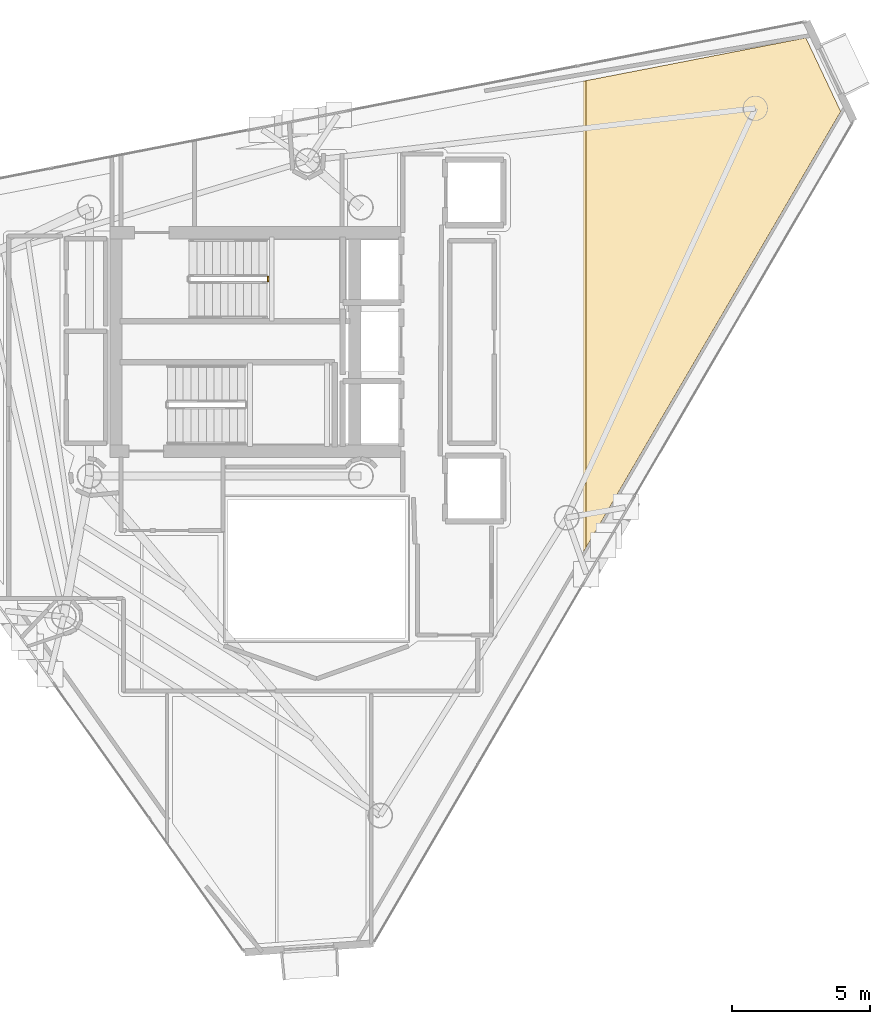
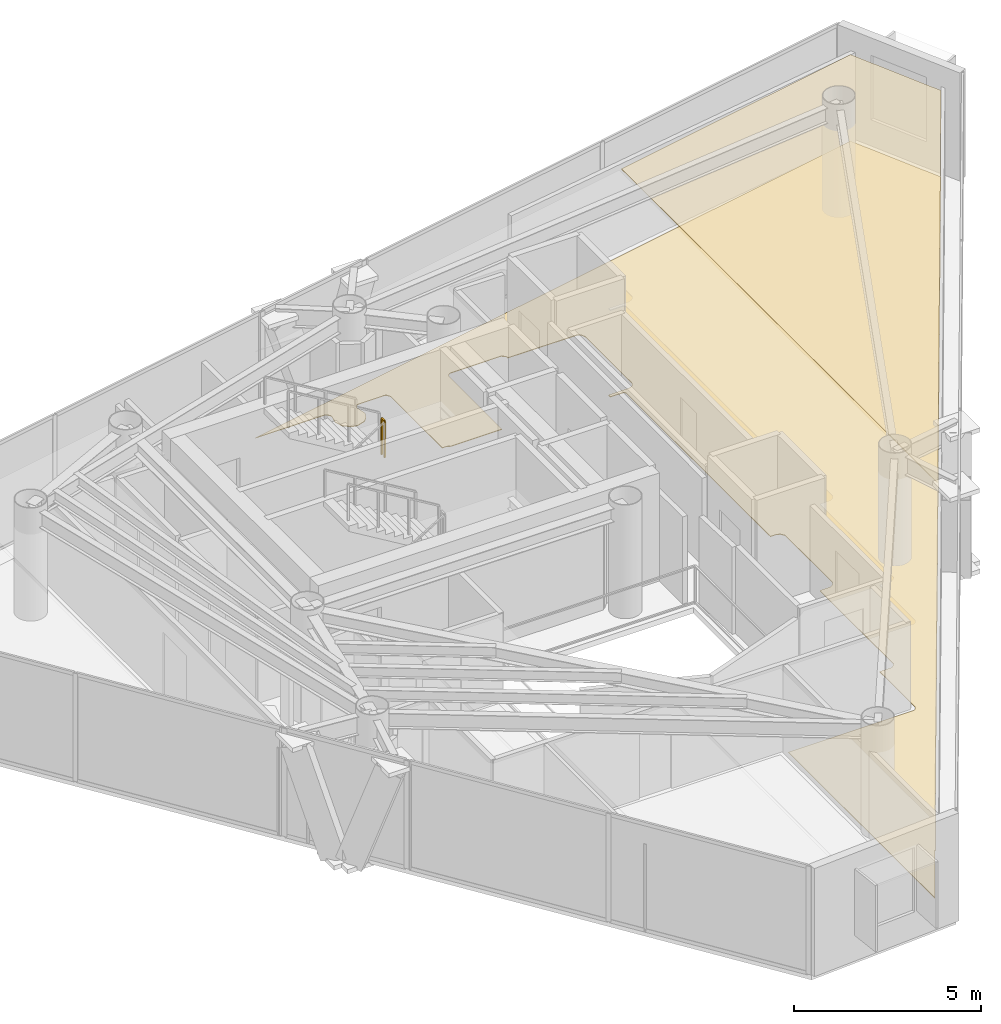
# One storey, part 22 of 22: 2 coverings, 1 railing.
"""IFC4 building model written with IfcOpenShell, lengths in metres."""

import ifcopenshell
import ifcopenshell.guid

model = None  # the IFC model being written
_history = None  # IfcOwnerHistory: only IFC2X3 demands one
_inside = {}  # id of a spatial element -> (the spatial element, [elements in it])
_under = {}  # id of a project, library or spatial element -> (it, [spatial elements below it])
_declared = {}  # id of a project -> (the project, [libraries it declares])
_typed = {}  # id of a type object -> (the type object, [elements of that type])
_made_of = {}  # id of a material, layer set ... -> (it, [elements and type objects made of it])


def new_model(schema):
    """Start an empty IFC model of exactly this schema.

    Asked for "IFC4X3", IfcOpenShell would pick the latest addendum, in which some entities
    have other attributes; the version numbers below select the first issue.
    IFC2X3 requires an IfcOwnerHistory on every rooted entity: one is made here for all.
    """
    global model, _history
    if schema == "IFC4X3":
        model = ifcopenshell.file(schema_version=(4, 3, 0, 0))
    else:
        model = ifcopenshell.file(schema=schema)
    _inside.clear()
    _under.clear()
    _declared.clear()
    _typed.clear()
    _made_of.clear()
    _history = None
    if model.schema == "IFC2X3":
        org = make("IfcOrganization", Name="unknown")
        user = make(
            "IfcPersonAndOrganization",
            ThePerson=make("IfcPerson", FamilyName="unknown"),
            TheOrganization=org,
        )
        app = make(
            "IfcApplication",
            ApplicationDeveloper=org,
            Version="unknown",
            ApplicationFullName="unknown",
            ApplicationIdentifier="unknown",
        )
        _history = make(
            "IfcOwnerHistory",
            OwningUser=user,
            OwningApplication=app,
            ChangeAction="ADDED",
            CreationDate=0,
        )
    return model


def make(cls, **values):
    """One entity of the class cls with the attributes given. An attribute that is None is left unset."""
    return model.create_entity(
        cls, **{name: value for name, value in values.items() if value is not None}
    )


def rooted(cls, **values):
    """An entity with a GlobalId (a new one), such as an element, a storey or a relation."""
    return make(cls, GlobalId=ifcopenshell.guid.new(), OwnerHistory=_history, **values)


def si_unit(unit_type, name, prefix=None):
    """IfcSIUnit, for example si_unit("LENGTHUNIT", "METRE", prefix="MILLI")."""
    return make("IfcSIUnit", UnitType=unit_type, Prefix=prefix, Name=name)


def assignment(units):
    """IfcUnitAssignment: the units of a project."""
    return None if units is None else make("IfcUnitAssignment", Units=units)


def point(xyz):
    """IfcCartesianPoint."""
    return None if xyz is None else make("IfcCartesianPoint", Coordinates=xyz)


def direction(xyz):
    """IfcDirection."""
    return None if xyz is None else make("IfcDirection", DirectionRatios=xyz)


def frame(location, z_axis=None, x_axis=None):
    """IfcAxis2Placement3D, a coordinate frame: its origin and axes. An axis left out is left unset."""
    return make(
        "IfcAxis2Placement3D",
        Location=point(location),
        Axis=direction(z_axis),
        RefDirection=direction(x_axis),
    )


def frame_2d(location, x_axis=None):
    """IfcAxis2Placement2D, a coordinate frame in the plane: its origin and x axis."""
    return make(
        "IfcAxis2Placement2D", Location=point(location), RefDirection=direction(x_axis)
    )


def origin():
    """The frame at (0, 0, 0) with its axes left unset."""
    return frame((0.0, 0.0, 0.0))


def origin_2d():
    """The frame at (0, 0) in the plane with its x axis left unset."""
    return frame_2d((0.0, 0.0))


def place(relative_to, where):
    """IfcLocalPlacement: puts the frame where relative to a parent placement (None: the world)."""
    return make(
        "IfcLocalPlacement", PlacementRelTo=relative_to, RelativePlacement=where
    )


def context(
    kind, dimensions, precision=None, world=None, true_north=None, identifier=None
):
    """IfcGeometricRepresentationContext, for example the 3D "Model" context."""
    return make(
        "IfcGeometricRepresentationContext",
        ContextIdentifier=identifier,
        ContextType=kind,
        CoordinateSpaceDimension=dimensions,
        Precision=precision,
        WorldCoordinateSystem=world,
        TrueNorth=true_north,
    )


def subcontext(parent, identifier, kind, view, scale=None):
    """IfcGeometricRepresentationSubContext, for example "Body" below "Model"."""
    return make(
        "IfcGeometricRepresentationSubContext",
        ContextIdentifier=identifier,
        ContextType=kind,
        ParentContext=parent,
        TargetScale=scale,
        TargetView=view,
    )


def project(units=None, contexts=None):
    """IfcProject with its units and contexts."""
    return rooted(
        "IfcProject",
        Name="project",
        RepresentationContexts=contexts,
        UnitsInContext=assignment(units),
    )


def spatial(cls, under=None, at=None, **own):
    """A site, building, storey or space (cls), placed at a placement, below another one or the project."""
    s = rooted(cls, ObjectPlacement=at, **own)
    if under is not None:
        _under.setdefault(under.id(), (under, []))[1].append(s)
    return s


def polyline(points):
    """IfcPolyline through the points."""
    return make("IfcPolyline", Points=[point(p) for p in points])


def profile(cls, at=None, kind="AREA", **sizes):
    """A parametric profile (cls). Its sizes go by their IFC names, for example OverallWidth=200.0."""
    return make(cls, ProfileType=kind, Position=at, **sizes)


def rectangle(**sizes):
    """IfcRectangleProfileDef."""
    return profile("IfcRectangleProfileDef", **sizes)


def outline(outer, holes=None, kind="AREA"):
    """IfcArbitraryClosedProfileDef: a profile drawn as a closed curve; with holes, ...WithVoids."""
    if holes is None:
        return make("IfcArbitraryClosedProfileDef", ProfileType=kind, OuterCurve=outer)
    return make(
        "IfcArbitraryProfileDefWithVoids",
        ProfileType=kind,
        OuterCurve=outer,
        InnerCurves=holes,
    )


def extrude(swept, where, along, depth):
    """IfcExtrudedAreaSolid: the profile swept, set in the frame where, extruded along a direction by depth."""
    return make(
        "IfcExtrudedAreaSolid",
        SweptArea=swept,
        Position=where,
        ExtrudedDirection=direction(along),
        Depth=depth,
    )


def shape(context_of_items, identifier, shape_type, items):
    """IfcShapeRepresentation: the items that make up one representation, for example the "Body"."""
    return make(
        "IfcShapeRepresentation",
        ContextOfItems=context_of_items,
        RepresentationIdentifier=identifier,
        RepresentationType=shape_type,
        Items=items,
    )


def material(Name=None, Category=None):
    """IfcMaterial."""
    return make("IfcMaterial", Name=Name, Category=Category)


def layer(
    of_material, thickness, ventilated=None, Name=None, Category=None, Priority=None
):
    """IfcMaterialLayer: one layer of a wall or slab, of a material (None: an air gap)."""
    return make(
        "IfcMaterialLayer",
        Material=of_material,
        LayerThickness=thickness,
        IsVentilated=ventilated,
        Name=Name,
        Category=Category,
        Priority=Priority,
    )


def layer_set(layers, Name=None):
    """IfcMaterialLayerSet."""
    return make("IfcMaterialLayerSet", MaterialLayers=layers, LayerSetName=Name)


def made_of(thing, what):
    """Note that an element or type object is made of a material, layer set ...; save() writes the relation."""
    if what is not None:
        _made_of.setdefault(what.id(), (what, []))[1].append(thing)
    return thing


def type_object(cls, material=None, **own):
    """A type object (cls), such as IfcWallType, which elements share."""
    return made_of(rooted(cls, **own), material)


def element(
    cls,
    number,
    at=None,
    inside=None,
    cuts=None,
    type_object=None,
    material=None,
    context=None,
    identifier="Body",
    shape_type=None,
    held_by="IfcProductDefinitionShape",
    body=None,
    shapes=None,
    **own,
):
    """One element of the class cls, such as IfcWall. Its Tag is "e" and its number.

    at: its placement. inside: the storey or other place that contains it. cuts: it is an
    opening in that element (IfcRelVoidsElement). A single representation is given by context,
    identifier, shape_type and body (its items); several are given by shapes. held_by: the class
    of the entity that holds the representations. save() writes the other relations.
    """
    e = rooted(cls, Tag="e%d" % number, ObjectPlacement=at, **own)
    if body is not None:
        shapes = [shape(context, identifier, shape_type, body)]
    if shapes is not None:
        e.Representation = make(held_by, Representations=shapes)
    if inside is not None:
        _inside.setdefault(inside.id(), (inside, []))[1].append(e)
    if cuts is not None:
        rooted(
            "IfcRelVoidsElement", RelatingBuildingElement=cuts, RelatedOpeningElement=e
        )
    if type_object is not None:
        _typed.setdefault(type_object.id(), (type_object, []))[1].append(e)
    return made_of(e, material)


def aggregate(whole, parts):
    """IfcRelAggregates: a whole, such as a stair, and the parts it consists of."""
    return rooted("IfcRelAggregates", RelatingObject=whole, RelatedObjects=parts)


def save(model, path):
    """Write the relations noted so far, then the file.

    IfcRelAggregates (storeys below a building ...), IfcRelContainedInSpatialStructure (elements
    in a storey), IfcRelDefinesByType, IfcRelAssociatesMaterial and IfcRelDeclares: one each for
    every whole, place, type object, material and project.
    """
    for whole, parts in _under.values():
        aggregate(whole, parts)
    for where, things in _inside.values():
        rooted(
            "IfcRelContainedInSpatialStructure",
            RelatedElements=things,
            RelatingStructure=where,
        )
    for kind, things in _typed.values():
        rooted("IfcRelDefinesByType", RelatedObjects=things, RelatingType=kind)
    for what, things in _made_of.values():
        rooted("IfcRelAssociatesMaterial", RelatedObjects=things, RelatingMaterial=what)
    for by, libraries in _declared.values():
        rooted("IfcRelDeclares", RelatingContext=by, RelatedDefinitions=libraries)
    model.write(path)


model = new_model("IFC4")

# Units and contexts
model_context = context("Model", 3, precision=1e-05, world=origin(), true_north=direction((0.0, 1.0)))
body_context = subcontext(model_context, "Body", "Model", "MODEL_VIEW")
ifc_project = project(units=[si_unit("LENGTHUNIT", "METRE"), si_unit("AREAUNIT", "SQUARE_METRE"), si_unit("VOLUMEUNIT", "CUBIC_METRE"), si_unit("PLANEANGLEUNIT", "RADIAN"), si_unit("MASSUNIT", "GRAM", prefix="KILO")], contexts=[model_context])

# Site, building, storey
site_placement = place(None, origin())
site = spatial("IfcSite", under=ifc_project, at=site_placement, CompositionType="ELEMENT")
building_placement = place(site_placement, origin())
building = spatial("IfcBuilding", under=site, at=building_placement, Name="Qianvela Tower", CompositionType="ELEMENT")
storey_placement = place(building_placement, frame((0.0, 0.0, 299.10009765625)))
storey = spatial("IfcBuildingStorey", under=building, at=storey_placement, Name="L77", CompositionType="ELEMENT", Elevation=299.10009765625)

# Coverings
ifc_material_1 = material(Name="Perforated Mineral Acoustic Ceiling Tile")
ifc_layer_1 = layer(ifc_material_1, 0.02490234375)
ifc_layer_set_1 = layer_set([ifc_layer_1], Name="Perforated Mineral Acoustic Ceiling Tile")
covering_type_1 = type_object("IfcCoveringType", Name="COV-CEIL-ACOUSTIC-25", PredefinedType="CEILING", material=ifc_layer_set_1)
covering_1_placement = place(storey_placement, frame((0.0, 0.0, 2.81494140625)))
element("IfcCovering", 1, at=covering_1_placement, inside=storey, type_object=covering_type_1, Name="L77 Acoustic Ceiling Bay 2 Project Huddle Conference L77-02", PredefinedType="CEILING", context=body_context, shape_type="SweptSolid", body=[
    extrude(outline(polyline([(54.471923828125, 39.677490234375), (55.73095703125, 37.018798828125), (46.524169921875, 21.2548828125), (46.524169921875, 38.131591796875), (54.471923828125, 39.677490234375)])), origin(), (0.0, 0.0, 1.0), 0.02490234375),
])
ifc_material_2 = material(Name="Engineered Acoustic Oak Timber Flooring", Category="wood")
ifc_layer_2 = layer(ifc_material_2, 0.02001953125)
ifc_layer_set_2 = layer_set([ifc_layer_2], Name="Engineered Acoustic Oak Timber Flooring")
covering_type_2 = type_object("IfcCoveringType", Name="COV-FLOOR-OAK-20", PredefinedType="FLOORING", material=ifc_layer_set_2)
covering_2_placement = place(storey_placement, origin())
element("IfcCovering", 2, at=covering_2_placement, inside=storey, type_object=covering_type_2, Name="L77 Finish Flooring Project Huddle Conference L77-02", PredefinedType="FLOORING", context=body_context, shape_type="SweptSolid", body=[
    extrude(outline(polyline([(42.97607421875, 32.68017578125), (43.59375, 32.6806640625), (43.6015625, 32.68115234375), (43.609375, 32.68212890625), (43.616943359375, 32.68408203125), (43.624267578125, 32.686767578125), (43.699462890625, 32.718017578125), (43.70703125, 32.721435546875), (43.71435546875, 32.72607421875), (43.72119140625, 32.731201171875), (43.727294921875, 32.737060546875), (43.732666015625, 32.74365234375), (43.7373046875, 32.750732421875), (43.785888671875, 32.83154296875), (43.7900390625, 32.839111328125), (43.793212890625, 32.84716796875), (43.79541015625, 32.85546875), (43.796875, 32.864013671875), (43.79736328125, 32.87255859375), (43.800048828125, 35.2998046875), (43.7998046875, 35.306884765625), (43.798828125, 35.313720703125), (43.79736328125, 35.3203125), (43.79541015625, 35.326904296875), (43.763427734375, 35.415771484375), (43.7607421875, 35.422607421875), (43.75732421875, 35.428955078125), (43.75341796875, 35.43505859375), (43.7490234375, 35.44091796875), (43.743896484375, 35.4462890625), (43.738525390625, 35.450927734375), (43.732666015625, 35.455322265625), (43.6650390625, 35.50048828125), (43.658447265625, 35.50439453125), (43.6513671875, 35.5078125), (43.64404296875, 35.510498046875), (43.636474609375, 35.512451171875), (43.628662109375, 35.513671875), (43.620849609375, 35.513916015625), (41.515625, 35.519775390625), (41.513916015625, 35.554931640625), (41.512939453125, 35.562744140625), (41.511474609375, 35.5703125), (41.509033203125, 35.577880859375), (41.506103515625, 35.585205078125), (41.50244140625, 35.591796875), (41.498046875, 35.598388671875), (41.4931640625, 35.6044921875), (41.487548828125, 35.60986328125), (41.481689453125, 35.614990234375), (41.41552734375, 35.663818359375), (41.409423828125, 35.66796875), (41.40283203125, 35.67138671875), (41.396240234375, 35.67431640625), (41.38916015625, 35.6767578125), (41.382080078125, 35.67822265625), (41.374755859375, 35.67919921875), (41.367431640625, 35.6796875), (39.841796875, 35.670654296875), (39.83349609375, 35.670166015625), (39.825439453125, 35.668701171875), (39.817626953125, 35.666748046875), (39.81005859375, 35.663818359375), (39.802490234375, 35.659912109375), (39.795654296875, 35.655517578125), (39.789306640625, 35.650390625), (39.783447265625, 35.644775390625), (39.7783203125, 35.638427734375), (39.773681640625, 35.631591796875), (39.7314453125, 35.56103515625), (39.727294921875, 35.553466796875), (39.72412109375, 35.54541015625), (39.721923828125, 35.537109375), (39.720458984375, 35.528564453125), (39.719970703125, 35.52001953125), (39.719970703125, 32.719970703125), (38.129150390625, 32.719970703125), (38.068115234375, 32.756103515625), (38.060791015625, 32.760009765625), (38.052978515625, 32.76318359375), (38.044921875, 32.765380859375), (38.03662109375, 32.766845703125), (38.0283203125, 32.767333984375), (37.907470703125, 32.768798828125), (37.909912109375, 35.5), (37.90966796875, 35.507080078125), (37.90869140625, 35.514404296875), (37.906982421875, 35.521240234375), (37.90478515625, 35.5283203125), (37.902099609375, 35.534912109375), (37.898681640625, 35.541015625), (37.856201171875, 35.61181640625), (37.852294921875, 35.617919921875), (37.847412109375, 35.623779296875), (37.842041015625, 35.629150390625), (37.83642578125, 35.634033203125), (37.830078125, 35.63818359375), (37.823486328125, 35.64208984375), (37.816650390625, 35.64501953125), (37.8095703125, 35.6474609375), (37.80224609375, 35.649169921875), (37.794921875, 35.650146484375), (37.787353515625, 35.650634765625), (36.9814453125, 35.64599609375), (36.973388671875, 35.6455078125), (36.9658203125, 35.644287109375), (36.9580078125, 35.642333984375), (36.950439453125, 35.6396484375), (36.943359375, 35.63623046875), (36.9365234375, 35.632080078125), (36.930419921875, 35.627197265625), (36.924560546875, 35.621826171875), (36.919189453125, 35.615966796875), (36.91455078125, 35.609375), (36.91064453125, 35.6025390625), (36.875732421875, 35.5341796875), (36.87255859375, 35.527099609375), (36.8701171875, 35.51953125), (36.8681640625, 35.511962890625), (36.8671875, 35.504150390625), (36.866943359375, 35.49609375), (36.86767578125, 35.48828125), (36.868896484375, 35.48046875), (36.92431640625, 35.23291015625), (36.91748046875, 35.163330078125), (36.84765625, 34.99462890625), (36.72705078125, 34.874267578125), (36.4755859375, 34.796142578125), (36.305419921875, 34.830078125), (36.10595703125, 34.995849609375), (36.029296875, 35.241943359375), (36.082275390625, 35.49755859375), (36.08349609375, 35.50537109375), (36.083740234375, 35.51318359375), (36.08349609375, 35.52099609375), (36.08251953125, 35.52880859375), (36.08056640625, 35.536376953125), (36.078125, 35.543701171875), (36.07470703125, 35.55078125), (36.07080078125, 35.5576171875), (36.06640625, 35.563720703125), (36.06103515625, 35.569580078125), (35.998291015625, 35.63427734375), (35.992431640625, 35.6396484375), (35.986083984375, 35.64453125), (35.979248046875, 35.648681640625), (35.971923828125, 35.652099609375), (35.964599609375, 35.65478515625), (35.956787109375, 35.65673828125), (35.948974609375, 35.657958984375), (35.94091796875, 35.658447265625), (33.815185546875, 35.65966796875), (54.471923828125, 39.677490234375), (55.73095703125, 37.018798828125), (38.822021484375, 8.0673828125), (38.822021484375, 15.89013671875), (42.6806640625, 15.89599609375), (42.688720703125, 15.896484375), (42.6962890625, 15.897705078125), (42.703857421875, 15.899658203125), (42.711181640625, 15.902099609375), (42.718505859375, 15.905517578125), (42.72509765625, 15.90966796875), (42.7314453125, 15.914306640625), (42.7373046875, 15.91943359375), (42.742431640625, 15.92529296875), (42.7470703125, 15.931640625), (42.79638671875, 16.005615234375), (42.800537109375, 16.01220703125), (42.803955078125, 16.019287109375), (42.806640625, 16.02685546875), (42.80859375, 16.034423828125), (42.8095703125, 16.042236328125), (42.81005859375, 16.050048828125), (42.8076171875, 17.920166015625), (43.157958984375, 17.92041015625), (43.166259765625, 17.9208984375), (43.174560546875, 17.922119140625), (43.1826171875, 17.92431640625), (43.1904296875, 17.927490234375), (43.197998046875, 17.93115234375), (43.205078125, 17.935791015625), (43.211669921875, 17.941162109375), (43.2822265625, 18.005126953125), (43.2880859375, 18.010986328125), (43.293212890625, 18.017578125), (43.2978515625, 18.0244140625), (43.301513671875, 18.031982421875), (43.3046875, 18.039794921875), (43.306640625, 18.0478515625), (43.30810546875, 18.055908203125), (43.30859375, 18.064453125), (43.309326171875, 21.980712890625), (43.60791015625, 21.982666015625), (43.615478515625, 21.983154296875), (43.623291015625, 21.984375), (43.630859375, 21.986083984375), (43.637939453125, 21.98876953125), (43.64501953125, 21.9921875), (43.716796875, 22.030517578125), (43.723388671875, 22.034423828125), (43.729736328125, 22.039306640625), (43.735595703125, 22.04443359375), (43.74072265625, 22.05029296875), (43.74560546875, 22.056640625), (43.74951171875, 22.063232421875), (43.787841796875, 22.135009765625), (43.791259765625, 22.14208984375), (43.7939453125, 22.1494140625), (43.7958984375, 22.156982421875), (43.796875, 22.164794921875), (43.79736328125, 22.1728515625), (43.7939453125, 24.640625), (43.79345703125, 24.649169921875), (43.792236328125, 24.65771484375), (43.789794921875, 24.665771484375), (43.786865234375, 24.673583984375), (43.782958984375, 24.68115234375), (43.7783203125, 24.688232421875), (43.721923828125, 24.76416015625), (43.71728515625, 24.769775390625), (43.71240234375, 24.77490234375), (43.706787109375, 24.779541015625), (43.70068359375, 24.78369140625), (43.694580078125, 24.78759765625), (43.68798828125, 24.79052734375), (43.680908203125, 24.79296875), (43.603271484375, 24.816650390625), (43.595703125, 24.818603515625), (43.587890625, 24.819580078125), (43.580078125, 24.820068359375), (43.424072265625, 24.820068359375), (43.426513671875, 24.826904296875), (43.428466796875, 24.83447265625), (43.4296875, 24.84228515625), (43.429931640625, 24.85009765625), (43.429931640625, 32.5), (43.4296875, 32.5078125), (43.428466796875, 32.515625), (43.426513671875, 32.523193359375), (43.423828125, 32.530517578125), (43.420654296875, 32.53759765625), (43.41650390625, 32.54443359375), (43.411865234375, 32.55078125), (43.406494140625, 32.556640625), (43.40087890625, 32.561767578125), (43.394287109375, 32.56640625), (43.3876953125, 32.570556640625), (43.380615234375, 32.573974609375), (43.373291015625, 32.57666015625), (43.365478515625, 32.57861328125), (43.35791015625, 32.57958984375), (43.35009765625, 32.580078125), (42.97607421875, 32.580078125), (42.97607421875, 32.68017578125)])), origin(), (0.0, 0.0, 1.0), 0.02001953125),
])

# Railing
ifc_material_3 = material(Name="Painted Tubular Steel Q355B", Category="steel")
railing_type = type_object("IfcRailingType", Name="RL-STAIR-GUARD-1200", PredefinedType="GUARDRAIL", material=ifc_material_3)
railing_placement = place(storey_placement, frame((35.050048828125, 30.889892578125, 1.849853515625)))
element("IfcRailing", 3, at=railing_placement, inside=storey, type_object=railing_type, Name="L77 ST-1 stair guard 2", PredefinedType="GUARDRAIL", context=body_context, shape_type="SweptSolid", body=[
    extrude(rectangle(XDim=0.050048828125, YDim=0.0400390625, at=origin_2d()), frame((0.0, 0.0, 1.179931640625), z_axis=(0.0, 1.0, 0.0), x_axis=(-1.0, 0.0, 0.0)), (0.0, 0.0, 1.0), 0.16015625),
    extrude(rectangle(XDim=0.050048828125, YDim=0.050048828125, at=origin_2d()), origin(), (0.0, 0.0, 1.0), 1.159912109375),
    extrude(rectangle(XDim=0.050048828125, YDim=0.050048828125, at=origin_2d()), frame((0.0, 0.16015625, 0.0)), (0.0, 0.0, 1.0), 1.159912109375),
])

save(model, "model.ifc")
